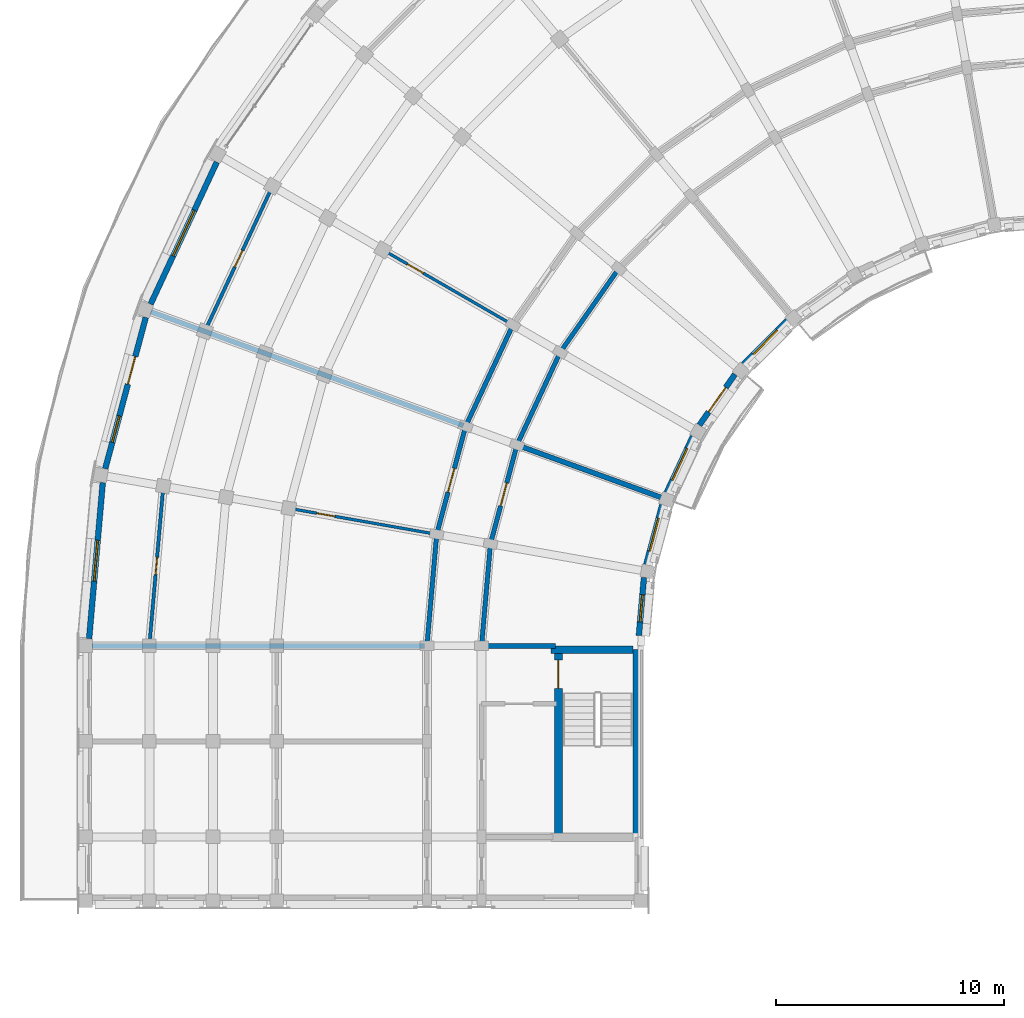
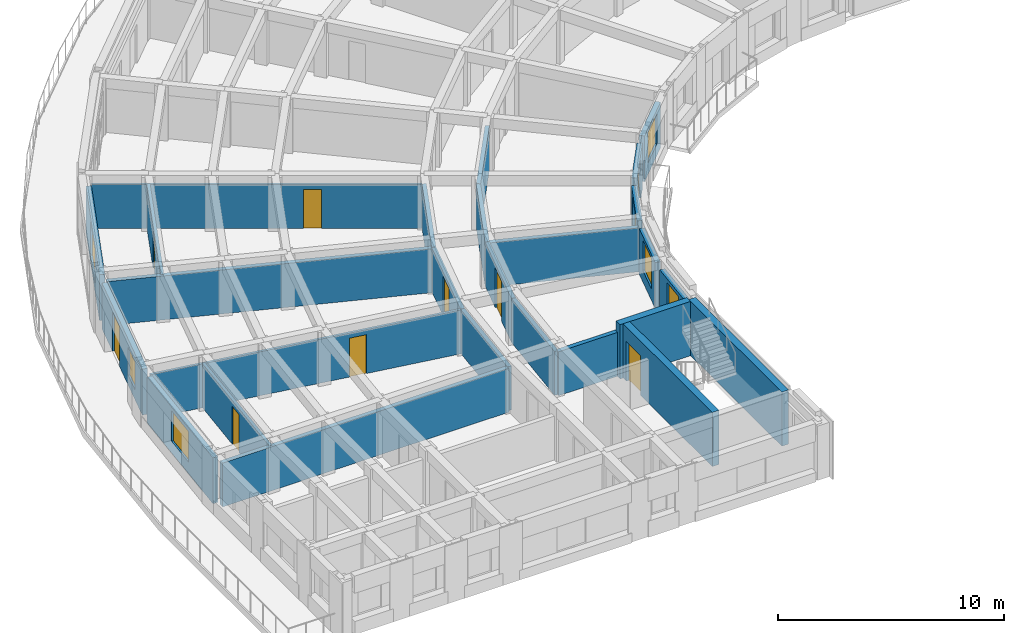
# One storey, part 12 of 32: 26 walls, 9 doors, 7 windows, 16 openings.
"""IFC4 building model written with IfcOpenShell, lengths in metres."""

import ifcopenshell
import ifcopenshell.guid

model = None  # the IFC model being written
_history = None  # IfcOwnerHistory: only IFC2X3 demands one
_inside = {}  # id of a spatial element -> (the spatial element, [elements in it])
_under = {}  # id of a project, library or spatial element -> (it, [spatial elements below it])
_declared = {}  # id of a project -> (the project, [libraries it declares])
_typed = {}  # id of a type object -> (the type object, [elements of that type])
_made_of = {}  # id of a material, layer set ... -> (it, [elements and type objects made of it])


def new_model(schema):
    """Start an empty IFC model of exactly this schema.

    Asked for "IFC4X3", IfcOpenShell would pick the latest addendum, in which some entities
    have other attributes; the version numbers below select the first issue.
    IFC2X3 requires an IfcOwnerHistory on every rooted entity: one is made here for all.
    """
    global model, _history
    if schema == "IFC4X3":
        model = ifcopenshell.file(schema_version=(4, 3, 0, 0))
    else:
        model = ifcopenshell.file(schema=schema)
    _inside.clear()
    _under.clear()
    _declared.clear()
    _typed.clear()
    _made_of.clear()
    _history = None
    if model.schema == "IFC2X3":
        org = make("IfcOrganization", Name="unknown")
        user = make(
            "IfcPersonAndOrganization",
            ThePerson=make("IfcPerson", FamilyName="unknown"),
            TheOrganization=org,
        )
        app = make(
            "IfcApplication",
            ApplicationDeveloper=org,
            Version="unknown",
            ApplicationFullName="unknown",
            ApplicationIdentifier="unknown",
        )
        _history = make(
            "IfcOwnerHistory",
            OwningUser=user,
            OwningApplication=app,
            ChangeAction="ADDED",
            CreationDate=0,
        )
    return model


def make(cls, **values):
    """One entity of the class cls with the attributes given. An attribute that is None is left unset."""
    return model.create_entity(
        cls, **{name: value for name, value in values.items() if value is not None}
    )


def rooted(cls, **values):
    """An entity with a GlobalId (a new one), such as an element, a storey or a relation."""
    return make(cls, GlobalId=ifcopenshell.guid.new(), OwnerHistory=_history, **values)


def si_unit(unit_type, name, prefix=None):
    """IfcSIUnit, for example si_unit("LENGTHUNIT", "METRE", prefix="MILLI")."""
    return make("IfcSIUnit", UnitType=unit_type, Prefix=prefix, Name=name)


def assignment(units):
    """IfcUnitAssignment: the units of a project."""
    return None if units is None else make("IfcUnitAssignment", Units=units)


def point(xyz):
    """IfcCartesianPoint."""
    return None if xyz is None else make("IfcCartesianPoint", Coordinates=xyz)


def direction(xyz):
    """IfcDirection."""
    return None if xyz is None else make("IfcDirection", DirectionRatios=xyz)


def frame(location, z_axis=None, x_axis=None):
    """IfcAxis2Placement3D, a coordinate frame: its origin and axes. An axis left out is left unset."""
    return make(
        "IfcAxis2Placement3D",
        Location=point(location),
        Axis=direction(z_axis),
        RefDirection=direction(x_axis),
    )


def frame_2d(location, x_axis=None):
    """IfcAxis2Placement2D, a coordinate frame in the plane: its origin and x axis."""
    return make(
        "IfcAxis2Placement2D", Location=point(location), RefDirection=direction(x_axis)
    )


def origin():
    """The frame at (0, 0, 0) with its axes left unset."""
    return frame((0.0, 0.0, 0.0))


def place(relative_to, where):
    """IfcLocalPlacement: puts the frame where relative to a parent placement (None: the world)."""
    return make(
        "IfcLocalPlacement", PlacementRelTo=relative_to, RelativePlacement=where
    )


def context(
    kind, dimensions, precision=None, world=None, true_north=None, identifier=None
):
    """IfcGeometricRepresentationContext, for example the 3D "Model" context."""
    return make(
        "IfcGeometricRepresentationContext",
        ContextIdentifier=identifier,
        ContextType=kind,
        CoordinateSpaceDimension=dimensions,
        Precision=precision,
        WorldCoordinateSystem=world,
        TrueNorth=true_north,
    )


def subcontext(parent, identifier, kind, view, scale=None):
    """IfcGeometricRepresentationSubContext, for example "Body" below "Model"."""
    return make(
        "IfcGeometricRepresentationSubContext",
        ContextIdentifier=identifier,
        ContextType=kind,
        ParentContext=parent,
        TargetScale=scale,
        TargetView=view,
    )


def project(units=None, contexts=None):
    """IfcProject with its units and contexts."""
    return rooted(
        "IfcProject",
        Name="project",
        RepresentationContexts=contexts,
        UnitsInContext=assignment(units),
    )


def spatial(cls, under=None, at=None, **own):
    """A site, building, storey or space (cls), placed at a placement, below another one or the project."""
    s = rooted(cls, ObjectPlacement=at, **own)
    if under is not None:
        _under.setdefault(under.id(), (under, []))[1].append(s)
    return s


def profile(cls, at=None, kind="AREA", **sizes):
    """A parametric profile (cls). Its sizes go by their IFC names, for example OverallWidth=200.0."""
    return make(cls, ProfileType=kind, Position=at, **sizes)


def rectangle(**sizes):
    """IfcRectangleProfileDef."""
    return profile("IfcRectangleProfileDef", **sizes)


def extrude(swept, where, along, depth):
    """IfcExtrudedAreaSolid: the profile swept, set in the frame where, extruded along a direction by depth."""
    return make(
        "IfcExtrudedAreaSolid",
        SweptArea=swept,
        Position=where,
        ExtrudedDirection=direction(along),
        Depth=depth,
    )


def shape(context_of_items, identifier, shape_type, items):
    """IfcShapeRepresentation: the items that make up one representation, for example the "Body"."""
    return make(
        "IfcShapeRepresentation",
        ContextOfItems=context_of_items,
        RepresentationIdentifier=identifier,
        RepresentationType=shape_type,
        Items=items,
    )


def material(Name=None, Category=None):
    """IfcMaterial."""
    return make("IfcMaterial", Name=Name, Category=Category)


def layer(
    of_material, thickness, ventilated=None, Name=None, Category=None, Priority=None
):
    """IfcMaterialLayer: one layer of a wall or slab, of a material (None: an air gap)."""
    return make(
        "IfcMaterialLayer",
        Material=of_material,
        LayerThickness=thickness,
        IsVentilated=ventilated,
        Name=Name,
        Category=Category,
        Priority=Priority,
    )


def layer_set(layers, Name=None):
    """IfcMaterialLayerSet."""
    return make("IfcMaterialLayerSet", MaterialLayers=layers, LayerSetName=Name)


def made_of(thing, what):
    """Note that an element or type object is made of a material, layer set ...; save() writes the relation."""
    if what is not None:
        _made_of.setdefault(what.id(), (what, []))[1].append(thing)
    return thing


def type_object(cls, material=None, **own):
    """A type object (cls), such as IfcWallType, which elements share."""
    return made_of(rooted(cls, **own), material)


def element(
    cls,
    number,
    at=None,
    inside=None,
    cuts=None,
    type_object=None,
    material=None,
    context=None,
    identifier="Body",
    shape_type=None,
    held_by="IfcProductDefinitionShape",
    body=None,
    shapes=None,
    **own,
):
    """One element of the class cls, such as IfcWall. Its Tag is "e" and its number.

    at: its placement. inside: the storey or other place that contains it. cuts: it is an
    opening in that element (IfcRelVoidsElement). A single representation is given by context,
    identifier, shape_type and body (its items); several are given by shapes. held_by: the class
    of the entity that holds the representations. save() writes the other relations.
    """
    e = rooted(cls, Tag="e%d" % number, ObjectPlacement=at, **own)
    if body is not None:
        shapes = [shape(context, identifier, shape_type, body)]
    if shapes is not None:
        e.Representation = make(held_by, Representations=shapes)
    if inside is not None:
        _inside.setdefault(inside.id(), (inside, []))[1].append(e)
    if cuts is not None:
        rooted(
            "IfcRelVoidsElement", RelatingBuildingElement=cuts, RelatedOpeningElement=e
        )
    if type_object is not None:
        _typed.setdefault(type_object.id(), (type_object, []))[1].append(e)
    return made_of(e, material)


def fill(opening, filler):
    """IfcRelFillsElement: the door or window that sits in an opening."""
    return rooted(
        "IfcRelFillsElement",
        RelatingOpeningElement=opening,
        RelatedBuildingElement=filler,
    )


def aggregate(whole, parts):
    """IfcRelAggregates: a whole, such as a stair, and the parts it consists of."""
    return rooted("IfcRelAggregates", RelatingObject=whole, RelatedObjects=parts)


def save(model, path):
    """Write the relations noted so far, then the file.

    IfcRelAggregates (storeys below a building ...), IfcRelContainedInSpatialStructure (elements
    in a storey), IfcRelDefinesByType, IfcRelAssociatesMaterial and IfcRelDeclares: one each for
    every whole, place, type object, material and project.
    """
    for whole, parts in _under.values():
        aggregate(whole, parts)
    for where, things in _inside.values():
        rooted(
            "IfcRelContainedInSpatialStructure",
            RelatedElements=things,
            RelatingStructure=where,
        )
    for kind, things in _typed.values():
        rooted("IfcRelDefinesByType", RelatedObjects=things, RelatingType=kind)
    for what, things in _made_of.values():
        rooted("IfcRelAssociatesMaterial", RelatedObjects=things, RelatingMaterial=what)
    for by, libraries in _declared.values():
        rooted("IfcRelDeclares", RelatingContext=by, RelatedDefinitions=libraries)
    model.write(path)


model = new_model("IFC4")

# Units and contexts
model_context = context("Model", 3, precision=1e-05, world=origin(), true_north=direction((0.0, 1.0)))
body_context = subcontext(model_context, "Body", "Model", "MODEL_VIEW")
ifc_project = project(units=[si_unit("LENGTHUNIT", "METRE"), si_unit("AREAUNIT", "SQUARE_METRE"), si_unit("VOLUMEUNIT", "CUBIC_METRE"), si_unit("PLANEANGLEUNIT", "RADIAN"), si_unit("MASSUNIT", "GRAM", prefix="KILO")], contexts=[model_context])

# Site, building, storey
site_placement = place(None, origin())
site = spatial("IfcSite", under=ifc_project, at=site_placement, CompositionType="ELEMENT")
building_placement = place(site_placement, origin())
building = spatial("IfcBuilding", under=site, at=building_placement, Name="Kiranvali Square Residences", CompositionType="ELEMENT")
storey_placement = place(building_placement, frame((0.0, 0.0, 40.199951171875)))
storey = spatial("IfcBuildingStorey", under=building, at=storey_placement, Name="L12", CompositionType="ELEMENT", Elevation=40.199951171875)

# Walls
ifc_material_1 = material(Name="Autoclaved aerated concrete blockwork masonry", Category="masonry")
ifc_layer_1 = layer(ifc_material_1, 0.199951171875)
ifc_layer_set_1 = layer_set([ifc_layer_1], Name="Autoclaved aerated concrete blockwork masonry")
wall_type_1 = type_object("IfcWallType", Name="WL-COR-200", PredefinedType="STANDARD", material=ifc_layer_set_1)
for number, where, z_axis, x_axis, name in (
    (1, (28.43603515625, 104.384033203125, 0.0), (0.0, 0.0, 1.0), (-0.573571637217, -0.819155404658, 0.0), "L12 architectural wall WL-L12-A-CCI-5"),
    (2, (25.8564453125, 100.699951171875, 0.0), (0.0, 0.0, 1.0), (-0.422617978463, -0.906307919131, 0.0), "L12 architectural wall WL-L12-A-CCI-6"),
):
    element("IfcWall", number, at=place(storey_placement, frame(where, z_axis=z_axis, x_axis=x_axis)), inside=storey, type_object=wall_type_1, Name=name, PredefinedType="STANDARD", context=body_context, shape_type="SweptSolid", body=[
        extrude(rectangle(XDim=4.497314453125, YDim=0.199951171875, at=frame_2d((2.24853515625, 0.0))), origin(), (0.0, 0.0, 1.0), 2.3720703125),
    ])
wall_1_placement = place(storey_placement, frame((23.778076171875, 101.89990234375, 0.0), z_axis=(0.0, 0.0, 1.0), x_axis=(-0.422629854778, -0.906302381024, 0.0)))
element("IfcWall", 3, at=wall_1_placement, inside=storey, type_object=wall_type_1, Name="L12 architectural wall WL-L12-A-CCO-6", PredefinedType="STANDARD", context=body_context, shape_type="SweptSolid", body=[
    extrude(rectangle(XDim=4.915283203125, YDim=0.199951171875, at=frame_2d((2.45751953125, 0.0))), origin(), (0.0, 0.0, 1.0), 2.3720703125),
])

# Wall, opening, door
wall_2_placement = place(storey_placement, frame((23.955810546875, 96.6240234375, 0.0), z_axis=(0.0, 0.0, 1.0), x_axis=(-0.258787642463, -0.965934240054, 0.0)))
wall_2 = element("IfcWall", 4, at=wall_2_placement, inside=storey, type_object=wall_type_1, Name="L12 architectural wall WL-L12-A-CCI-7", PredefinedType="STANDARD", context=body_context, shape_type="SweptSolid", body=[
    extrude(rectangle(XDim=4.497314453125, YDim=0.199951171875, at=frame_2d((2.24853515625, 0.0))), origin(), (0.0, 0.0, 1.0), 2.3720703125),
])
opening_1_placement = place(wall_2_placement, frame((1.728515625, 0.0, 0.0)))
opening_1 = element("IfcOpeningElement", 5, at=opening_1_placement, cuts=wall_2, Name="Opening FD-APT-60B", PredefinedType="OPENING", context=body_context, shape_type="SweptSolid", body=[
    extrude(rectangle(XDim=1.0400390625, YDim=2.14990234375, at=frame_2d((0.52001953125, 1.074951171875))), frame((0.0, 0.10986328125, 0.0), z_axis=(0.0, -1.0, 0.0), x_axis=(1.0, 0.0, 0.0)), (0.0, 0.0, 1.0), 0.219970703125),
])
ifc_material_2 = material(Name="Fire-rated acoustic hardwood and mineral-core door assembly", Category="wood")
door_type_1 = type_object("IfcDoorType", Name="DR-APT-1040", OperationType="NOTDEFINED", PredefinedType="DOOR", material=ifc_material_2)
door_1_placement = place(opening_1_placement, frame((1.0400390625, 0.0, 0.0), z_axis=(0.0, 0.0, 1.0), x_axis=(-1.0, 0.0, 0.0)))
door_1 = element("IfcDoor", 6, at=door_1_placement, inside=storey, type_object=door_type_1, Name="L12 door DR-L12-0784 (DR-APT-1040)", OperationType="SINGLE_SWING_RIGHT", OverallHeight=2.14990234375, OverallWidth=1.0400390625, PredefinedType="DOOR", context=body_context, shape_type="SweptSolid", body=[
    extrude(rectangle(XDim=1.0400390625, YDim=2.14990234375, at=frame_2d((0.52001953125, 1.074951171875))), frame((0.0, 0.02490234375, 0.0), z_axis=(0.0, -1.0, 0.0), x_axis=(1.0, 0.0, 0.0)), (0.0, 0.0, 1.0), 0.050048828125),
])
fill(opening_1, door_1)

wall_3_placement = place(storey_placement, frame((21.70068359375, 97.445068359375, 0.0), z_axis=(0.0, 0.0, 1.0), x_axis=(-0.258803112091, -0.965930095386, 0.0)))
wall_3 = element("IfcWall", 7, at=wall_3_placement, inside=storey, type_object=wall_type_1, Name="L12 architectural wall WL-L12-A-CCO-7", PredefinedType="STANDARD", context=body_context, shape_type="SweptSolid", body=[
    extrude(rectangle(XDim=4.915771484375, YDim=0.199951171875, at=frame_2d((2.4580078125, 0.0))), origin(), (0.0, 0.0, 1.0), 2.3720703125),
])
opening_2_placement = place(wall_3_placement, frame((1.917724609375, 0.0, 0.0)))
opening_2 = element("IfcOpeningElement", 8, at=opening_2_placement, cuts=wall_3, Name="Opening FD-APT-60C", PredefinedType="OPENING", context=body_context, shape_type="SweptSolid", body=[
    extrude(rectangle(XDim=1.080078125, YDim=2.14990234375, at=frame_2d((0.5400390625, 1.074951171875))), frame((0.0, 0.10986328125, 0.0), z_axis=(0.0, -1.0, 0.0), x_axis=(1.0, 0.0, 0.0)), (0.0, 0.0, 1.0), 0.219970703125),
])
door_type_2 = type_object("IfcDoorType", Name="DR-APT-1080", OperationType="NOTDEFINED", PredefinedType="DOOR", material=ifc_material_2)
door_2_placement = place(opening_2_placement, origin())
door_2 = element("IfcDoor", 9, at=door_2_placement, inside=storey, type_object=door_type_2, Name="L12 door DR-L12-0779 (DR-APT-1080)", OperationType="SINGLE_SWING_LEFT", OverallHeight=2.14990234375, OverallWidth=1.080078125, PredefinedType="DOOR", context=body_context, shape_type="SweptSolid", body=[
    extrude(rectangle(XDim=1.080078125, YDim=2.14990234375, at=frame_2d((0.5400390625, 1.074951171875))), frame((0.0, 0.02490234375, 0.0), z_axis=(0.0, -1.0, 0.0), x_axis=(1.0, 0.0, 0.0)), (0.0, 0.0, 1.0), 0.050048828125),
])
fill(opening_2, door_2)

# Walls
wall_4_placement = place(storey_placement, frame((22.7919921875, 92.280029296875, 0.0), z_axis=(0.0, 0.0, 1.0), x_axis=(-0.087187153726, -0.996191949488, 0.0)))
element("IfcWall", 10, at=wall_4_placement, inside=storey, type_object=wall_type_1, Name="L12 architectural wall WL-L12-A-CCI-8", PredefinedType="STANDARD", context=body_context, shape_type="SweptSolid", body=[
    extrude(rectangle(XDim=4.4970703125, YDim=0.199951171875, at=frame_2d((2.24853515625, 0.0))), origin(), (0.0, 0.0, 1.0), 2.3720703125),
])
wall_5_placement = place(storey_placement, frame((20.428466796875, 92.69677734375, 0.0), z_axis=(0.0, 0.0, 1.0), x_axis=(-0.087167566415, -0.996193663584, 0.0)))
element("IfcWall", 11, at=wall_5_placement, inside=storey, type_object=wall_type_1, Name="L12 architectural wall WL-L12-A-CCO-8", PredefinedType="STANDARD", context=body_context, shape_type="SweptSolid", body=[
    extrude(rectangle(XDim=4.91552734375, YDim=0.199951171875, at=frame_2d((2.457763671875, 0.0))), origin(), (0.0, 0.0, 1.0), 2.3720703125),
])
ifc_layer_2 = layer(ifc_material_1, 0.219970703125)
ifc_layer_set_2 = layer_set([ifc_layer_2], Name="Autoclaved aerated concrete blockwork masonry")
wall_type_2 = type_object("IfcWallType", Name="WL-DEM-220", PredefinedType="STANDARD", material=ifc_layer_set_2)
wall_6_placement = place(storey_placement, frame((30.345947265625, 94.29833984375, 0.0), z_axis=(0.0, 0.0, 1.0), x_axis=(-0.939696231917, 0.342010221662, 0.0)))
element("IfcWall", 12, at=wall_6_placement, inside=storey, type_object=wall_type_2, Name="L12 architectural wall WL-L12-A-RADI-7", PredefinedType="STANDARD", context=body_context, shape_type="SweptSolid", body=[
    extrude(rectangle(XDim=6.75, YDim=0.219970703125, at=frame_2d((3.375, 0.0))), origin(), (0.0, 0.0, 1.0), 2.3720703125),
])
wall_7_placement = place(storey_placement, frame((21.606689453125, 97.479248046875, 0.0), z_axis=(0.0, 0.0, 1.0), x_axis=(-0.939694408106, 0.342015232663, 0.0)))
element("IfcWall", 13, at=wall_7_placement, inside=storey, type_object=wall_type_2, Name="L12 architectural wall WL-L12-A-RADO-7", PredefinedType="STANDARD", context=body_context, shape_type="SweptSolid", body=[
    extrude(rectangle(XDim=14.619873046875, YDim=0.219970703125, at=frame_2d((7.31005859375, 0.0))), origin(), (0.0, 0.0, 1.0), 2.3720703125),
])
wall_8_placement = place(storey_placement, frame((25.64990234375, 87.800048828125, 0.0), z_axis=(0.0, 0.0, 1.0), x_axis=(-1.0, 0.0, 0.0)))
element("IfcWall", 14, at=wall_8_placement, inside=storey, type_object=wall_type_2, Name="L12 architectural wall WL-L12-A-RADI-9", PredefinedType="STANDARD", context=body_context, shape_type="SweptSolid", body=[
    extrude(rectangle(XDim=3.199951171875, YDim=0.219970703125, at=frame_2d((1.60009765625, 0.0))), origin(), (0.0, 0.0, 1.0), 2.3720703125),
])
wall_9_placement = place(storey_placement, frame((19.89990234375, 87.800048828125, 0.0), z_axis=(0.0, 0.0, 1.0), x_axis=(-1.0, 0.0, 0.0)))
element("IfcWall", 15, at=wall_9_placement, inside=storey, type_object=wall_type_2, Name="L12 architectural wall WL-L12-A-RADO-9", PredefinedType="STANDARD", context=body_context, shape_type="SweptSolid", body=[
    extrude(rectangle(XDim=14.619873046875, YDim=0.219970703125, at=frame_2d((7.31005859375, 0.0))), origin(), (0.0, 0.0, 1.0), 2.3720703125),
])

# Wall, opening, window
ifc_material_3 = material(Name="Breathable lime-rendered clay brick masonry", Category="masonry")
ifc_layer_3 = layer(ifc_material_3, 0.25)
ifc_layer_set_3 = layer_set([ifc_layer_3], Name="Breathable lime-rendered clay brick masonry")
wall_type_3 = type_object("IfcWallType", Name="WL-EXT-250", PredefinedType="STANDARD", material=ifc_layer_set_3)
wall_10_placement = place(storey_placement, frame((10.763427734375, 109.052001953125, 0.0), z_axis=(0.0, 0.0, 1.0), x_axis=(-0.422628979279, -0.906302789289, 0.0)))
wall_10 = element("IfcWall", 16, at=wall_10_placement, inside=storey, type_object=wall_type_3, Name="L12 exterior wall A-L12-CRV-06", PredefinedType="STANDARD", context=body_context, shape_type="SweptSolid", body=[
    extrude(rectangle(XDim=6.87890625, YDim=0.25, at=frame_2d((3.439453125, 0.0))), origin(), (0.0, 0.0, 1.0), 2.47998046875),
])
opening_3_placement = place(wall_10_placement, frame((2.339599609375, 0.0, 0.3798828125)))
opening_3 = element("IfcOpeningElement", 17, at=opening_3_placement, cuts=wall_10, Name="Opening W-20", PredefinedType="OPENING", context=body_context, shape_type="SweptSolid", body=[
    extrude(rectangle(XDim=2.199951171875, YDim=1.89990234375, at=frame_2d((1.10009765625, 0.949951171875))), frame((0.0, 0.135009765625, 0.0), z_axis=(0.0, -1.0, 0.0), x_axis=(1.0, 0.0, 0.0)), (0.0, 0.0, 1.0), 0.27001953125),
])
ifc_material_4 = material(Name="Solar-control low-e double glazing", Category="glass")
window_type_1 = type_object("IfcWindowType", Name="WIN-TER-2200x1900", PartitioningType="TRIPLE_PANEL_VERTICAL", PredefinedType="WINDOW", material=ifc_material_4)
window_1_placement = place(opening_3_placement, origin())
window_1 = element("IfcWindow", 18, at=window_1_placement, inside=storey, type_object=window_type_1, Name="L12 recessed window A-L12-CRV-06", OverallHeight=1.89990234375, OverallWidth=2.199951171875, PartitioningType="TRIPLE_PANEL_VERTICAL", PredefinedType="WINDOW", context=body_context, shape_type="SweptSolid", body=[
    extrude(rectangle(XDim=2.199951171875, YDim=1.89990234375, at=frame_2d((1.10009765625, 0.949951171875))), frame((0.0, 0.030029296875, 0.0), z_axis=(0.0, -1.0, 0.0), x_axis=(1.0, 0.0, 0.0)), (0.0, 0.0, 1.0), 0.06005859375),
])
fill(opening_3, window_1)

# Wall, openings, door, window
wall_11_placement = place(storey_placement, frame((7.641845703125, 102.228271484375, 0.0), z_axis=(0.0, 0.0, 1.0), x_axis=(-0.258835428922, -0.965921436109, 0.0)))
wall_11 = element("IfcWall", 19, at=wall_11_placement, inside=storey, type_object=wall_type_3, Name="L12 exterior wall A-L12-CRV-07", PredefinedType="STANDARD", context=body_context, shape_type="SweptSolid", body=[
    extrude(rectangle(XDim=6.87890625, YDim=0.25, at=frame_2d((3.439453125, 0.0))), origin(), (0.0, 0.0, 1.0), 2.47998046875),
])
opening_4_placement = place(wall_11_placement, frame((4.478759765625, 0.0, 0.530029296875)))
opening_4 = element("IfcOpeningElement", 20, at=opening_4_placement, cuts=wall_11, Name="Opening W-06", PredefinedType="OPENING", context=body_context, shape_type="SweptSolid", body=[
    extrude(rectangle(XDim=1.199951171875, YDim=1.5, at=frame_2d((0.60009765625, 0.75))), frame((0.0, 0.135009765625, 0.0), z_axis=(0.0, -1.0, 0.0), x_axis=(1.0, 0.0, 0.0)), (0.0, 0.0, 1.0), 0.27001953125),
])
opening_5_placement = place(wall_11_placement, frame((1.777587890625, 0.0, 0.0)))
opening_5 = element("IfcOpeningElement", 21, at=opening_5_placement, cuts=wall_11, Name="Opening ED-BAL-2", PredefinedType="OPENING", context=body_context, shape_type="SweptSolid", body=[
    extrude(rectangle(XDim=1.260009765625, YDim=2.14990234375, at=frame_2d((0.6298828125, 1.074951171875))), frame((0.0, 0.135009765625, 0.0), z_axis=(0.0, -1.0, 0.0), x_axis=(1.0, 0.0, 0.0)), (0.0, 0.0, 1.0), 0.27001953125),
])
ifc_material_5 = material(Name="Anodised bronze aluminium framing", Category="aluminium")
door_type_3 = type_object("IfcDoorType", Name="DR-BAL-1260", OperationType="NOTDEFINED", PredefinedType="DOOR", material=ifc_material_5)
door_3_placement = place(opening_5_placement, frame((1.260009765625, 0.0, 0.0), z_axis=(0.0, 0.0, 1.0), x_axis=(-1.0, 0.0, 0.0)))
door_3 = element("IfcDoor", 22, at=door_3_placement, inside=storey, type_object=door_type_3, Name="L12 balcony terrace door", OperationType="SINGLE_SWING_RIGHT", OverallHeight=2.14990234375, OverallWidth=1.260009765625, PredefinedType="DOOR", context=body_context, shape_type="SweptSolid", body=[
    extrude(rectangle(XDim=1.260009765625, YDim=2.14990234375, at=frame_2d((0.6298828125, 1.074951171875))), frame((0.0, 0.02490234375, 0.0), z_axis=(0.0, -1.0, 0.0), x_axis=(1.0, 0.0, 0.0)), (0.0, 0.0, 1.0), 0.050048828125),
])
fill(opening_5, door_3)
window_type_2 = type_object("IfcWindowType", Name="WIN-RES-1200x1500", PartitioningType="SINGLE_PANEL", PredefinedType="WINDOW", material=ifc_material_4)
window_2_placement = place(opening_4_placement, origin())
window_2 = element("IfcWindow", 23, at=window_2_placement, inside=storey, type_object=window_type_2, Name="L12 recessed window A-L12-CRV-07", OverallHeight=1.5, OverallWidth=1.199951171875, PartitioningType="SINGLE_PANEL", PredefinedType="WINDOW", context=body_context, shape_type="SweptSolid", body=[
    extrude(rectangle(XDim=1.199951171875, YDim=1.5, at=frame_2d((0.60009765625, 0.75))), frame((0.0, 0.030029296875, 0.0), z_axis=(0.0, -1.0, 0.0), x_axis=(1.0, 0.0, 0.0)), (0.0, 0.0, 1.0), 0.06005859375),
])
fill(opening_4, window_2)

# Wall, opening, window
wall_12_placement = place(storey_placement, frame((5.75244140625, 94.96630859375, 0.0), z_axis=(0.0, 0.0, 1.0), x_axis=(-0.087165629485, -0.996193833065, 0.0)))
wall_12 = element("IfcWall", 24, at=wall_12_placement, inside=storey, type_object=wall_type_3, Name="L12 exterior wall A-L12-CRV-08", PredefinedType="STANDARD", context=body_context, shape_type="SweptSolid", body=[
    extrude(rectangle(XDim=6.87890625, YDim=0.25, at=frame_2d((3.439453125, 0.0))), origin(), (0.0, 0.0, 1.0), 2.47998046875),
])
opening_6_placement = place(wall_12_placement, frame((2.53955078125, 0.0, 0.6298828125)))
opening_6 = element("IfcOpeningElement", 25, at=opening_6_placement, cuts=wall_12, Name="Opening W-04", PredefinedType="OPENING", context=body_context, shape_type="SweptSolid", body=[
    extrude(rectangle(XDim=1.800048828125, YDim=1.64990234375, at=frame_2d((0.89990234375, 0.824951171875))), frame((0.0, 0.135009765625, 0.0), z_axis=(0.0, -1.0, 0.0), x_axis=(1.0, 0.0, 0.0)), (0.0, 0.0, 1.0), 0.27001953125),
])
window_type_3 = type_object("IfcWindowType", Name="WIN-RES-1800x1650", PartitioningType="DOUBLE_PANEL_VERTICAL", PredefinedType="WINDOW", material=ifc_material_4)
window_3_placement = place(opening_6_placement, origin())
window_3 = element("IfcWindow", 26, at=window_3_placement, inside=storey, type_object=window_type_3, Name="L12 recessed window A-L12-CRV-08", OverallHeight=1.64990234375, OverallWidth=1.800048828125, PartitioningType="DOUBLE_PANEL_VERTICAL", PredefinedType="WINDOW", context=body_context, shape_type="SweptSolid", body=[
    extrude(rectangle(XDim=1.800048828125, YDim=1.64990234375, at=frame_2d((0.89990234375, 0.824951171875))), frame((0.0, 0.030029296875, 0.0), z_axis=(0.0, -1.0, 0.0), x_axis=(1.0, 0.0, 0.0)), (0.0, 0.0, 1.0), 0.06005859375),
])
fill(opening_6, window_3)

wall_13_placement = place(storey_placement, frame((35.830078125, 102.093017578125, 0.0), z_axis=(0.0, 0.0, 1.0), x_axis=(-0.707106781187, -0.707106781187, 0.0)))
wall_13 = element("IfcWall", 27, at=wall_13_placement, inside=storey, type_object=wall_type_3, Name="L12 exterior wall A-L12-GDN-04", PredefinedType="STANDARD", context=body_context, shape_type="SweptSolid", body=[
    extrude(rectangle(XDim=2.7197265625, YDim=0.25, at=frame_2d((1.35986328125, 0.0))), origin(), (0.0, 0.0, 1.0), 2.47216796875),
])
opening_7_placement = place(wall_13_placement, frame((0.60986328125, 0.0, 0.6220703125)))
opening_7 = element("IfcOpeningElement", 28, at=opening_7_placement, cuts=wall_13, Name="Opening W-05", PredefinedType="OPENING", context=body_context, shape_type="SweptSolid", body=[
    extrude(rectangle(XDim=1.5, YDim=1.64990234375, at=frame_2d((0.75, 0.824951171875))), frame((0.0, 0.135009765625, 0.0), z_axis=(0.0, -1.0, 0.0), x_axis=(1.0, 0.0, 0.0)), (0.0, 0.0, 1.0), 0.27001953125),
])
window_type_4 = type_object("IfcWindowType", Name="WIN-RES-1500x1650", PartitioningType="DOUBLE_PANEL_VERTICAL", PredefinedType="WINDOW", material=ifc_material_4)
window_4_placement = place(opening_7_placement, origin())
window_4 = element("IfcWindow", 29, at=window_4_placement, inside=storey, type_object=window_type_4, Name="L12 recessed window A-L12-GDN-04", OverallHeight=1.64990234375, OverallWidth=1.5, PartitioningType="DOUBLE_PANEL_VERTICAL", PredefinedType="WINDOW", context=body_context, shape_type="SweptSolid", body=[
    extrude(rectangle(XDim=1.5, YDim=1.64990234375, at=frame_2d((0.75, 0.824951171875))), frame((0.0, 0.030029296875, 0.0), z_axis=(0.0, -1.0, 0.0), x_axis=(1.0, 0.0, 0.0)), (0.0, 0.0, 1.0), 0.06005859375),
])
fill(opening_7, window_4)

# Wall, opening, door
wall_14_placement = place(storey_placement, frame((33.5361328125, 99.727783203125, 0.0), z_axis=(0.0, 0.0, 1.0), x_axis=(-0.573612950921, -0.819126475299, 0.0)))
wall_14 = element("IfcWall", 30, at=wall_14_placement, inside=storey, type_object=wall_type_3, Name="L12 exterior wall A-L12-GDN-05", PredefinedType="STANDARD", context=body_context, shape_type="SweptSolid", body=[
    extrude(rectangle(XDim=2.7197265625, YDim=0.25, at=frame_2d((1.35986328125, 0.0))), origin(), (0.0, 0.0, 1.0), 2.47216796875),
])
opening_8_placement = place(wall_14_placement, frame((0.699951171875, 0.0, 0.0)))
opening_8 = element("IfcOpeningElement", 31, at=opening_8_placement, cuts=wall_14, Name="Opening ED-BAL-3", PredefinedType="OPENING", context=body_context, shape_type="SweptSolid", body=[
    extrude(rectangle(XDim=1.320068359375, YDim=2.14990234375, at=frame_2d((0.66015625, 1.074951171875))), frame((0.0, 0.135009765625, 0.0), z_axis=(0.0, -1.0, 0.0), x_axis=(1.0, 0.0, 0.0)), (0.0, 0.0, 1.0), 0.27001953125),
])
door_type_4 = type_object("IfcDoorType", Name="DR-BAL-1320", OperationType="NOTDEFINED", PredefinedType="DOOR", material=ifc_material_5)
door_4_placement = place(opening_8_placement, origin())
door_4 = element("IfcDoor", 32, at=door_4_placement, inside=storey, type_object=door_type_4, Name="L12 balcony terrace door", OperationType="SINGLE_SWING_RIGHT", OverallHeight=2.14990234375, OverallWidth=1.320068359375, PredefinedType="DOOR", context=body_context, shape_type="SweptSolid", body=[
    extrude(rectangle(XDim=1.320068359375, YDim=2.14990234375, at=frame_2d((0.66015625, 1.074951171875))), frame((0.0, 0.02490234375, 0.0), z_axis=(0.0, -1.0, 0.0), x_axis=(1.0, 0.0, 0.0)), (0.0, 0.0, 1.0), 0.050048828125),
])
fill(opening_8, door_4)

# Wall, opening, window
wall_15_placement = place(storey_placement, frame((31.687744140625, 97.000244140625, 0.0), z_axis=(0.0, 0.0, 1.0), x_axis=(-0.422629903269, -0.906302358412, 0.0)))
wall_15 = element("IfcWall", 33, at=wall_15_placement, inside=storey, type_object=wall_type_3, Name="L12 exterior wall A-L12-GDN-06", PredefinedType="STANDARD", context=body_context, shape_type="SweptSolid", body=[
    extrude(rectangle(XDim=2.7197265625, YDim=0.25, at=frame_2d((1.35986328125, 0.0))), origin(), (0.0, 0.0, 1.0), 2.47216796875),
])
opening_9_placement = place(wall_15_placement, frame((0.5849609375, 0.0, 0.672119140625)))
opening_9 = element("IfcOpeningElement", 34, at=opening_9_placement, cuts=wall_15, Name="Opening W-18", PredefinedType="OPENING", context=body_context, shape_type="SweptSolid", body=[
    extrude(rectangle(XDim=1.550048828125, YDim=1.60009765625, at=frame_2d((0.77490234375, 0.800048828125))), frame((0.0, 0.135009765625, 0.0), z_axis=(0.0, -1.0, 0.0), x_axis=(1.0, 0.0, 0.0)), (0.0, 0.0, 1.0), 0.27001953125),
])
window_type_5 = type_object("IfcWindowType", Name="WIN-GDN-1550x1600", PartitioningType="DOUBLE_PANEL_VERTICAL", PredefinedType="WINDOW", material=ifc_material_4)
window_5_placement = place(opening_9_placement, origin())
window_5 = element("IfcWindow", 35, at=window_5_placement, inside=storey, type_object=window_type_5, Name="L12 recessed window A-L12-GDN-06", OverallHeight=1.60009765625, OverallWidth=1.550048828125, PartitioningType="DOUBLE_PANEL_VERTICAL", PredefinedType="WINDOW", context=body_context, shape_type="SweptSolid", body=[
    extrude(rectangle(XDim=1.550048828125, YDim=1.60009765625, at=frame_2d((0.77490234375, 0.800048828125))), frame((0.0, 0.030029296875, 0.0), z_axis=(0.0, -1.0, 0.0), x_axis=(1.0, 0.0, 0.0)), (0.0, 0.0, 1.0), 0.06005859375),
])
fill(opening_9, window_5)

wall_16_placement = place(storey_placement, frame((30.3408203125, 93.9931640625, 0.0), z_axis=(0.0, 0.0, 1.0), x_axis=(-0.258807879411, -0.965928818058, 0.0)))
wall_16 = element("IfcWall", 36, at=wall_16_placement, inside=storey, type_object=wall_type_3, Name="L12 exterior wall A-L12-GDN-07", PredefinedType="STANDARD", context=body_context, shape_type="SweptSolid", body=[
    extrude(rectangle(XDim=2.7197265625, YDim=0.25, at=frame_2d((1.35986328125, 0.0))), origin(), (0.0, 0.0, 1.0), 2.47216796875),
])
opening_10_placement = place(wall_16_placement, frame((0.60986328125, 0.0, 0.6220703125)))
opening_10 = element("IfcOpeningElement", 37, at=opening_10_placement, cuts=wall_16, Name="Opening W-05", PredefinedType="OPENING", context=body_context, shape_type="SweptSolid", body=[
    extrude(rectangle(XDim=1.5, YDim=1.64990234375, at=frame_2d((0.75, 0.824951171875))), frame((0.0, 0.135009765625, 0.0), z_axis=(0.0, -1.0, 0.0), x_axis=(1.0, 0.0, 0.0)), (0.0, 0.0, 1.0), 0.27001953125),
])
window_6_placement = place(opening_10_placement, origin())
window_6 = element("IfcWindow", 38, at=window_6_placement, inside=storey, type_object=window_type_4, Name="L12 recessed window A-L12-GDN-07", OverallHeight=1.64990234375, OverallWidth=1.5, PartitioningType="DOUBLE_PANEL_VERTICAL", PredefinedType="WINDOW", context=body_context, shape_type="SweptSolid", body=[
    extrude(rectangle(XDim=1.5, YDim=1.64990234375, at=frame_2d((0.75, 0.824951171875))), frame((0.0, 0.030029296875, 0.0), z_axis=(0.0, -1.0, 0.0), x_axis=(1.0, 0.0, 0.0)), (0.0, 0.0, 1.0), 0.06005859375),
])
fill(opening_10, window_6)

wall_17_placement = place(storey_placement, frame((29.536865234375, 90.7978515625, 0.0), z_axis=(0.0, 0.0, 1.0), x_axis=(-0.087222589008, -0.996188847542, 0.0)))
wall_17 = element("IfcWall", 39, at=wall_17_placement, inside=storey, type_object=wall_type_3, Name="L12 exterior wall A-L12-GDN-08", PredefinedType="STANDARD", context=body_context, shape_type="SweptSolid", body=[
    extrude(rectangle(XDim=2.558349609375, YDim=0.25, at=frame_2d((1.279296875, 0.0))), origin(), (0.0, 0.0, 1.0), 2.47216796875),
])
opening_11_placement = place(wall_17_placement, frame((0.759765625, 0.0, 0.77197265625)))
opening_11 = element("IfcOpeningElement", 40, at=opening_11_placement, cuts=wall_17, Name="Opening W-06", PredefinedType="OPENING", context=body_context, shape_type="SweptSolid", body=[
    extrude(rectangle(XDim=1.199951171875, YDim=1.5, at=frame_2d((0.60009765625, 0.75))), frame((0.0, 0.135009765625, 0.0), z_axis=(0.0, -1.0, 0.0), x_axis=(1.0, 0.0, 0.0)), (0.0, 0.0, 1.0), 0.27001953125),
])
window_7_placement = place(opening_11_placement, origin())
window_7 = element("IfcWindow", 41, at=window_7_placement, inside=storey, type_object=window_type_2, Name="L12 recessed window A-L12-GDN-08", OverallHeight=1.5, OverallWidth=1.199951171875, PartitioningType="SINGLE_PANEL", PredefinedType="WINDOW", context=body_context, shape_type="SweptSolid", body=[
    extrude(rectangle(XDim=1.199951171875, YDim=1.5, at=frame_2d((0.60009765625, 0.75))), frame((0.0, 0.030029296875, 0.0), z_axis=(0.0, -1.0, 0.0), x_axis=(1.0, 0.0, 0.0)), (0.0, 0.0, 1.0), 0.06005859375),
])
fill(opening_11, window_7)

# Wall, opening, door
ifc_material_6 = material(Name="Acoustic gypsum board drylined partition", Category="gypsum")
ifc_layer_4 = layer(ifc_material_6, 0.125)
ifc_layer_set_4 = layer_set([ifc_layer_4], Name="Acoustic gypsum board drylined partition")
wall_type_4 = type_object("IfcWallType", Name="WL-PRT-125", PredefinedType="PARTITIONING", material=ifc_layer_set_4)
wall_18_placement = place(storey_placement, frame((23.69140625, 101.949951171875, 0.0), z_axis=(0.0, 0.0, 1.0), x_axis=(-0.866020956416, 0.500007702989, 0.0)))
wall_18 = element("IfcWall", 42, at=wall_18_placement, inside=storey, type_object=wall_type_4, Name="L12 architectural wall WL-L12-A-RADO-6", PredefinedType="PARTITIONING", context=body_context, shape_type="SweptSolid", body=[
    extrude(rectangle(XDim=14.619873046875, YDim=0.125, at=frame_2d((7.31005859375, 0.0))), origin(), (0.0, 0.0, 1.0), 2.3720703125),
])
opening_12_placement = place(wall_18_placement, frame((4.449462890625, 0.0, 0.0)))
opening_12 = element("IfcOpeningElement", 43, at=opening_12_placement, cuts=wall_18, Name="Opening ID-WET", PredefinedType="OPENING", context=body_context, shape_type="SweptSolid", body=[
    extrude(rectangle(XDim=0.800048828125, YDim=2.10009765625, at=frame_2d((0.39990234375, 1.050048828125))), frame((0.0, 0.072509765625, 0.0), z_axis=(0.0, -1.0, 0.0), x_axis=(1.0, 0.0, 0.0)), (0.0, 0.0, 1.0), 0.14501953125),
])
ifc_material_7 = material(Name="Solid seasoned teak hardwood joinery", Category="wood")
door_type_5 = type_object("IfcDoorType", Name="DR-WET-800", OperationType="NOTDEFINED", PredefinedType="DOOR", material=ifc_material_7)
door_5_placement = place(opening_12_placement, frame((0.800048828125, 0.0, 0.0), z_axis=(0.0, 0.0, 1.0), x_axis=(-1.0, 0.0, 0.0)))
door_5 = element("IfcDoor", 44, at=door_5_placement, inside=storey, type_object=door_type_5, Name="L12 door DR-L12-0770 (DR-WET-800)", OperationType="SINGLE_SWING_RIGHT", OverallHeight=2.10009765625, OverallWidth=0.800048828125, PredefinedType="DOOR", context=body_context, shape_type="SweptSolid", body=[
    extrude(rectangle(XDim=0.800048828125, YDim=2.10009765625, at=frame_2d((0.39990234375, 1.050048828125))), frame((0.0, 0.02490234375, 0.0), z_axis=(0.0, -1.0, 0.0), x_axis=(1.0, 0.0, 0.0)), (0.0, 0.0, 1.0), 0.050048828125),
])
fill(opening_12, door_5)

wall_19_placement = place(storey_placement, frame((20.329833984375, 92.71435546875, 0.0), z_axis=(0.0, 0.0, 1.0), x_axis=(-0.984809269474, 0.173639577162, 0.0)))
wall_19 = element("IfcWall", 45, at=wall_19_placement, inside=storey, type_object=wall_type_4, Name="L12 architectural wall WL-L12-A-RADO-8", PredefinedType="PARTITIONING", context=body_context, shape_type="SweptSolid", body=[
    extrude(rectangle(XDim=14.619873046875, YDim=0.125, at=frame_2d((7.31005859375, 0.0))), origin(), (0.0, 0.0, 1.0), 2.3720703125),
])
opening_13_placement = place(wall_19_placement, frame((4.449462890625, 0.0, 0.0)))
opening_13 = element("IfcOpeningElement", 46, at=opening_13_placement, cuts=wall_19, Name="Opening ID-WET", PredefinedType="OPENING", context=body_context, shape_type="SweptSolid", body=[
    extrude(rectangle(XDim=0.800048828125, YDim=2.10009765625, at=frame_2d((0.39990234375, 1.050048828125))), frame((0.0, 0.072509765625, 0.0), z_axis=(0.0, -1.0, 0.0), x_axis=(1.0, 0.0, 0.0)), (0.0, 0.0, 1.0), 0.14501953125),
])
door_6_placement = place(opening_13_placement, origin())
door_6 = element("IfcDoor", 47, at=door_6_placement, inside=storey, type_object=door_type_5, Name="L12 door DR-L12-0771 (DR-WET-800)", OperationType="SINGLE_SWING_LEFT", OverallHeight=2.10009765625, OverallWidth=0.800048828125, PredefinedType="DOOR", context=body_context, shape_type="SweptSolid", body=[
    extrude(rectangle(XDim=0.800048828125, YDim=2.10009765625, at=frame_2d((0.39990234375, 1.050048828125))), frame((0.0, 0.02490234375, 0.0), z_axis=(0.0, -1.0, 0.0), x_axis=(1.0, 0.0, 0.0)), (0.0, 0.0, 1.0), 0.050048828125),
])
fill(opening_13, door_6)

# Wall
ifc_material_8 = material(Name="Concrete M45 (45 MPa)", Category="concrete")
ifc_layer_5 = layer(ifc_material_8, 0.320068359375)
ifc_layer_set_5 = layer_set([ifc_layer_5], Name="Concrete M45 (45 MPa)")
wall_type_5 = type_object("IfcWallType", Name="WL-SHR-320", PredefinedType="SHEAR", material=ifc_layer_set_5)
wall_20_placement = place(storey_placement, frame((29.22509765625, 87.625, 0.0), z_axis=(0.0, 0.0, 1.0), x_axis=(0.0, -1.0, 0.0)))
element("IfcWall", 48, at=wall_20_placement, inside=storey, type_object=wall_type_5, Name="Block A core shear wall SW-A3-OUT-L12", PredefinedType="SHEAR", context=body_context, shape_type="SweptSolid", body=[
    extrude(rectangle(XDim=8.25, YDim=0.35009765625, at=frame_2d((4.125, 0.0))), origin(), (0.0, 0.0, 1.0), 2.929931640625),
])

# Wall, opening, door
wall_21_placement = place(storey_placement, frame((25.77490234375, 87.449951171875, 0.0), z_axis=(0.0, 0.0, 1.0), x_axis=(0.0, -1.0, 0.0)))
wall_21 = element("IfcWall", 49, at=wall_21_placement, inside=storey, type_object=wall_type_5, Name="Block A core shear wall SW-A3-IN-L12", PredefinedType="SHEAR", context=body_context, shape_type="SweptSolid", body=[
    extrude(rectangle(XDim=7.89990234375, YDim=0.35009765625, at=frame_2d((3.949951171875, 0.0))), origin(), (0.0, 0.0, 1.0), 2.929931640625),
])
opening_14_placement = place(wall_21_placement, frame((0.280029296875, 0.0, 0.0)))
opening_14 = element("IfcOpeningElement", 50, at=opening_14_placement, cuts=wall_21, Name="Opening FD-ST-120", PredefinedType="OPENING", context=body_context, shape_type="SweptSolid", body=[
    extrude(rectangle(XDim=1.239990234375, YDim=2.14990234375, at=frame_2d((0.6201171875, 1.074951171875))), frame((0.0, 0.18505859375, 0.0), z_axis=(0.0, -1.0, 0.0), x_axis=(1.0, 0.0, 0.0)), (0.0, 0.0, 1.0), 0.3701171875),
])
door_type_6 = type_object("IfcDoorType", Name="DR-FD120-1200", OperationType="NOTDEFINED", PredefinedType="DOOR", material=ifc_material_2)
door_7_placement = place(opening_14_placement, origin())
door_7 = element("IfcDoor", 51, at=door_7_placement, inside=storey, type_object=door_type_6, Name="L12 door DR-L12-0745 (DR-FD120-1200)", OperationType="SINGLE_SWING_LEFT", OverallHeight=2.14990234375, OverallWidth=1.239990234375, PredefinedType="DOOR", context=body_context, shape_type="SweptSolid", body=[
    extrude(rectangle(XDim=1.239990234375, YDim=2.14990234375, at=frame_2d((0.6201171875, 1.074951171875))), frame((0.0, 0.02490234375, 0.0), z_axis=(0.0, -1.0, 0.0), x_axis=(1.0, 0.0, 0.0)), (0.0, 0.0, 1.0), 0.050048828125),
])
fill(opening_14, door_7)

# Wall
wall_22_placement = place(storey_placement, frame((29.050048828125, 87.625, 0.0), z_axis=(0.0, 0.0, 1.0), x_axis=(-1.0, 0.0, 0.0)))
element("IfcWall", 52, at=wall_22_placement, inside=storey, type_object=wall_type_5, Name="Block A core shear wall SW-A3-NEAR-L12", PredefinedType="SHEAR", context=body_context, shape_type="SweptSolid", body=[
    extrude(rectangle(XDim=3.60009765625, YDim=0.35009765625, at=frame_2d((1.800048828125, 0.0))), origin(), (0.0, 0.0, 1.0), 2.929931640625),
])

# Wall, opening, door
ifc_layer_6 = layer(ifc_material_1, 0.14990234375)
ifc_layer_set_6 = layer_set([ifc_layer_6], Name="Autoclaved aerated concrete blockwork masonry")
wall_type_6 = type_object("IfcWallType", Name="WL-WET-150", PredefinedType="PLUMBINGWALL", material=ifc_layer_set_6)
wall_23_placement = place(storey_placement, frame((13.212646484375, 108.0, 0.0), z_axis=(0.0, 0.0, 1.0), x_axis=(-0.422640621205, -0.906297360311, 0.0)))
wall_23 = element("IfcWall", 53, at=wall_23_placement, inside=storey, type_object=wall_type_6, Name="L12 architectural wall WL-L12-A-CWET-6", PredefinedType="PLUMBINGWALL", context=body_context, shape_type="SweptSolid", body=[
    extrude(rectangle(XDim=7.042236328125, YDim=0.14990234375, at=frame_2d((3.52099609375, 0.0))), origin(), (0.0, 0.0, 1.0), 2.3720703125),
])
opening_15_placement = place(wall_23_placement, frame((3.12109375, 0.0, 0.0)))
opening_15 = element("IfcOpeningElement", 54, at=opening_15_placement, cuts=wall_23, Name="Opening ID-WET", PredefinedType="OPENING", context=body_context, shape_type="SweptSolid", body=[
    extrude(rectangle(XDim=0.800048828125, YDim=2.10009765625, at=frame_2d((0.39990234375, 1.050048828125))), frame((0.0, 0.0849609375, 0.0), z_axis=(0.0, -1.0, 0.0), x_axis=(1.0, 0.0, 0.0)), (0.0, 0.0, 1.0), 0.169921875),
])
door_8_placement = place(opening_15_placement, frame((0.800048828125, 0.0, 0.0), z_axis=(0.0, 0.0, 1.0), x_axis=(-1.0, 0.0, 0.0)))
door_8 = element("IfcDoor", 55, at=door_8_placement, inside=storey, type_object=door_type_5, Name="L12 door DR-L12-0778 (DR-WET-800)", OperationType="SINGLE_SWING_RIGHT", OverallHeight=2.10009765625, OverallWidth=0.800048828125, PredefinedType="DOOR", context=body_context, shape_type="SweptSolid", body=[
    extrude(rectangle(XDim=0.800048828125, YDim=2.10009765625, at=frame_2d((0.39990234375, 1.050048828125))), frame((0.0, 0.02490234375, 0.0), z_axis=(0.0, -1.0, 0.0), x_axis=(1.0, 0.0, 0.0)), (0.0, 0.0, 1.0), 0.050048828125),
])
fill(opening_15, door_8)

wall_24_placement = place(storey_placement, frame((8.413818359375, 94.8154296875, 0.0), z_axis=(0.0, 0.0, 1.0), x_axis=(-0.087156198737, -0.996194658198, 0.0)))
wall_24 = element("IfcWall", 56, at=wall_24_placement, inside=storey, type_object=wall_type_6, Name="L12 architectural wall WL-L12-A-CWET-8", PredefinedType="PLUMBINGWALL", context=body_context, shape_type="SweptSolid", body=[
    extrude(rectangle(XDim=7.042236328125, YDim=0.14990234375, at=frame_2d((3.52099609375, 0.0))), origin(), (0.0, 0.0, 1.0), 2.3720703125),
])
opening_16_placement = place(wall_24_placement, frame((3.14111328125, 0.0, 0.0)))
opening_16 = element("IfcOpeningElement", 57, at=opening_16_placement, cuts=wall_24, Name="Opening ID-WET0", PredefinedType="OPENING", context=body_context, shape_type="SweptSolid", body=[
    extrude(rectangle(XDim=0.760009765625, YDim=2.050048828125, at=frame_2d((0.3798828125, 1.02490234375))), frame((0.0, 0.0849609375, 0.0), z_axis=(0.0, -1.0, 0.0), x_axis=(1.0, 0.0, 0.0)), (0.0, 0.0, 1.0), 0.169921875),
])
door_type_7 = type_object("IfcDoorType", Name="DR-WET-760", OperationType="NOTDEFINED", PredefinedType="DOOR", material=ifc_material_7)
door_9_placement = place(opening_16_placement, frame((0.760009765625, 0.0, 0.0), z_axis=(0.0, 0.0, 1.0), x_axis=(-1.0, 0.0, 0.0)))
door_9 = element("IfcDoor", 58, at=door_9_placement, inside=storey, type_object=door_type_7, Name="L12 door DR-L12-0780 (DR-WET-760)", OperationType="SINGLE_SWING_RIGHT", OverallHeight=2.050048828125, OverallWidth=0.760009765625, PredefinedType="DOOR", context=body_context, shape_type="SweptSolid", body=[
    extrude(rectangle(XDim=0.760009765625, YDim=2.050048828125, at=frame_2d((0.3798828125, 1.02490234375))), frame((0.0, 0.02490234375, 0.0), z_axis=(0.0, -1.0, 0.0), x_axis=(1.0, 0.0, 0.0)), (0.0, 0.0, 1.0), 0.050048828125),
])
fill(opening_16, door_9)

save(model, "model.ifc")
